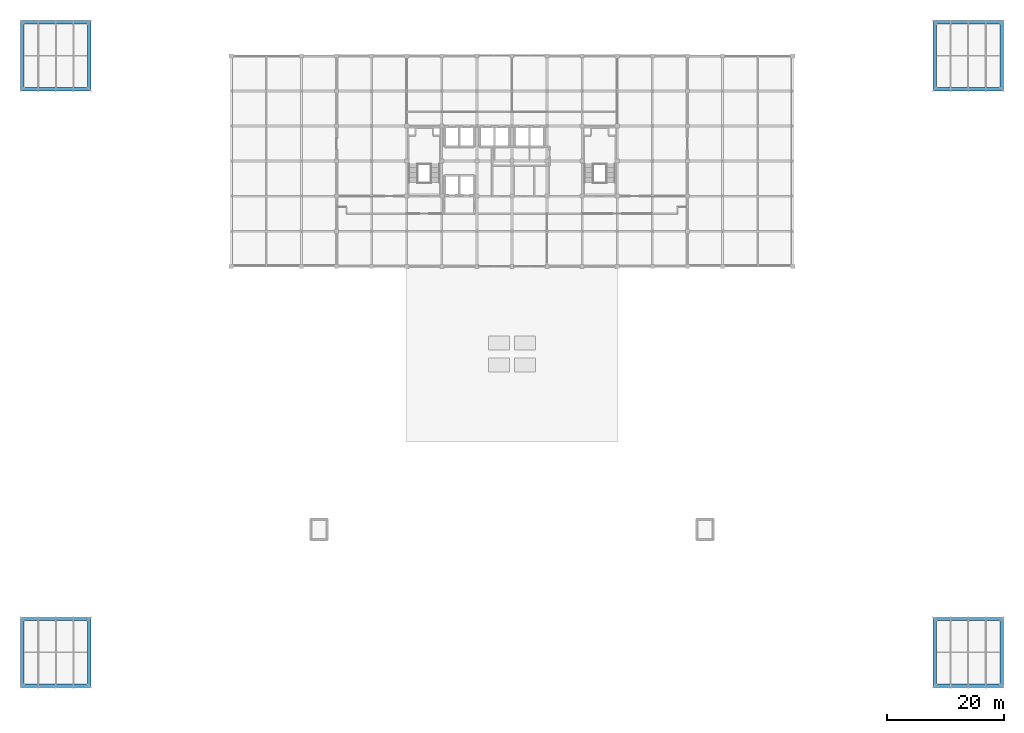
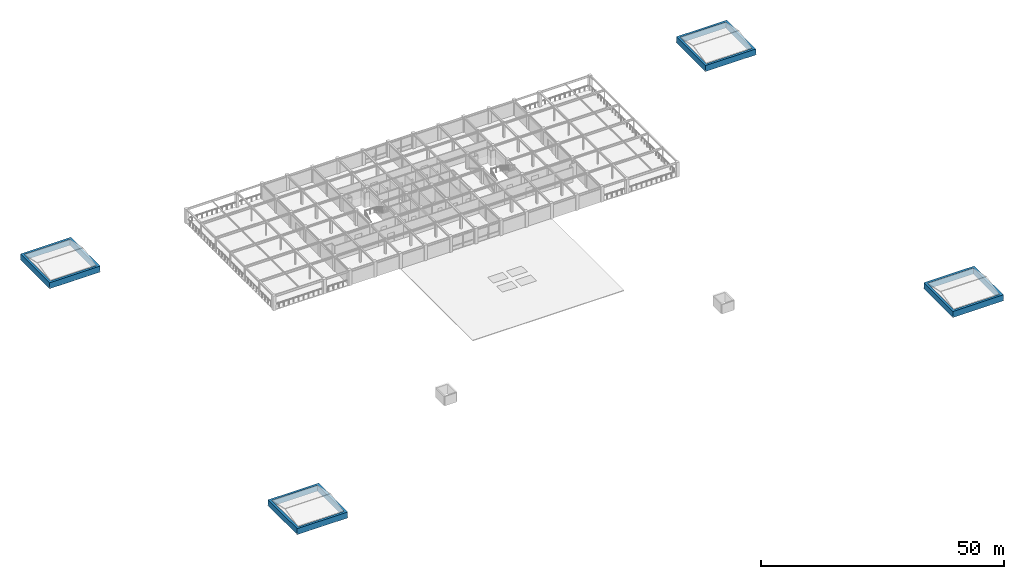
# One storey, part 23 of 25: 4 roofs.
"""IFC4 building model written with IfcOpenShell, lengths in metres."""

import ifcopenshell
import ifcopenshell.guid

model = None  # the IFC model being written
_history = None  # IfcOwnerHistory: only IFC2X3 demands one
_inside = {}  # id of a spatial element -> (the spatial element, [elements in it])
_under = {}  # id of a project, library or spatial element -> (it, [spatial elements below it])
_declared = {}  # id of a project -> (the project, [libraries it declares])
_typed = {}  # id of a type object -> (the type object, [elements of that type])
_made_of = {}  # id of a material, layer set ... -> (it, [elements and type objects made of it])


def new_model(schema):
    """Start an empty IFC model of exactly this schema.

    Asked for "IFC4X3", IfcOpenShell would pick the latest addendum, in which some entities
    have other attributes; the version numbers below select the first issue.
    IFC2X3 requires an IfcOwnerHistory on every rooted entity: one is made here for all.
    """
    global model, _history
    if schema == "IFC4X3":
        model = ifcopenshell.file(schema_version=(4, 3, 0, 0))
    else:
        model = ifcopenshell.file(schema=schema)
    _inside.clear()
    _under.clear()
    _declared.clear()
    _typed.clear()
    _made_of.clear()
    _history = None
    if model.schema == "IFC2X3":
        org = make("IfcOrganization", Name="unknown")
        user = make(
            "IfcPersonAndOrganization",
            ThePerson=make("IfcPerson", FamilyName="unknown"),
            TheOrganization=org,
        )
        app = make(
            "IfcApplication",
            ApplicationDeveloper=org,
            Version="unknown",
            ApplicationFullName="unknown",
            ApplicationIdentifier="unknown",
        )
        _history = make(
            "IfcOwnerHistory",
            OwningUser=user,
            OwningApplication=app,
            ChangeAction="ADDED",
            CreationDate=0,
        )
    return model


def make(cls, **values):
    """One entity of the class cls with the attributes given. An attribute that is None is left unset."""
    return model.create_entity(
        cls, **{name: value for name, value in values.items() if value is not None}
    )


def rooted(cls, **values):
    """An entity with a GlobalId (a new one), such as an element, a storey or a relation."""
    return make(cls, GlobalId=ifcopenshell.guid.new(), OwnerHistory=_history, **values)


def si_unit(unit_type, name, prefix=None):
    """IfcSIUnit, for example si_unit("LENGTHUNIT", "METRE", prefix="MILLI")."""
    return make("IfcSIUnit", UnitType=unit_type, Prefix=prefix, Name=name)


def assignment(units):
    """IfcUnitAssignment: the units of a project."""
    return None if units is None else make("IfcUnitAssignment", Units=units)


def point(xyz):
    """IfcCartesianPoint."""
    return None if xyz is None else make("IfcCartesianPoint", Coordinates=xyz)


def direction(xyz):
    """IfcDirection."""
    return None if xyz is None else make("IfcDirection", DirectionRatios=xyz)


def frame(location, z_axis=None, x_axis=None):
    """IfcAxis2Placement3D, a coordinate frame: its origin and axes. An axis left out is left unset."""
    return make(
        "IfcAxis2Placement3D",
        Location=point(location),
        Axis=direction(z_axis),
        RefDirection=direction(x_axis),
    )


def origin():
    """The frame at (0, 0, 0) with its axes left unset."""
    return frame((0.0, 0.0, 0.0))


def place(relative_to, where):
    """IfcLocalPlacement: puts the frame where relative to a parent placement (None: the world)."""
    return make(
        "IfcLocalPlacement", PlacementRelTo=relative_to, RelativePlacement=where
    )


def context(
    kind, dimensions, precision=None, world=None, true_north=None, identifier=None
):
    """IfcGeometricRepresentationContext, for example the 3D "Model" context."""
    return make(
        "IfcGeometricRepresentationContext",
        ContextIdentifier=identifier,
        ContextType=kind,
        CoordinateSpaceDimension=dimensions,
        Precision=precision,
        WorldCoordinateSystem=world,
        TrueNorth=true_north,
    )


def subcontext(parent, identifier, kind, view, scale=None):
    """IfcGeometricRepresentationSubContext, for example "Body" below "Model"."""
    return make(
        "IfcGeometricRepresentationSubContext",
        ContextIdentifier=identifier,
        ContextType=kind,
        ParentContext=parent,
        TargetScale=scale,
        TargetView=view,
    )


def project(units=None, contexts=None):
    """IfcProject with its units and contexts."""
    return rooted(
        "IfcProject",
        Name="project",
        RepresentationContexts=contexts,
        UnitsInContext=assignment(units),
    )


def spatial(cls, under=None, at=None, **own):
    """A site, building, storey or space (cls), placed at a placement, below another one or the project."""
    s = rooted(cls, ObjectPlacement=at, **own)
    if under is not None:
        _under.setdefault(under.id(), (under, []))[1].append(s)
    return s


def polyline(points):
    """IfcPolyline through the points."""
    return make("IfcPolyline", Points=[point(p) for p in points])


def outline(outer, holes=None, kind="AREA"):
    """IfcArbitraryClosedProfileDef: a profile drawn as a closed curve; with holes, ...WithVoids."""
    if holes is None:
        return make("IfcArbitraryClosedProfileDef", ProfileType=kind, OuterCurve=outer)
    return make(
        "IfcArbitraryProfileDefWithVoids",
        ProfileType=kind,
        OuterCurve=outer,
        InnerCurves=holes,
    )


def extrude(swept, where, along, depth):
    """IfcExtrudedAreaSolid: the profile swept, set in the frame where, extruded along a direction by depth."""
    return make(
        "IfcExtrudedAreaSolid",
        SweptArea=swept,
        Position=where,
        ExtrudedDirection=direction(along),
        Depth=depth,
    )


def shape(context_of_items, identifier, shape_type, items):
    """IfcShapeRepresentation: the items that make up one representation, for example the "Body"."""
    return make(
        "IfcShapeRepresentation",
        ContextOfItems=context_of_items,
        RepresentationIdentifier=identifier,
        RepresentationType=shape_type,
        Items=items,
    )


def material(Name=None, Category=None):
    """IfcMaterial."""
    return make("IfcMaterial", Name=Name, Category=Category)


def layer(
    of_material, thickness, ventilated=None, Name=None, Category=None, Priority=None
):
    """IfcMaterialLayer: one layer of a wall or slab, of a material (None: an air gap)."""
    return make(
        "IfcMaterialLayer",
        Material=of_material,
        LayerThickness=thickness,
        IsVentilated=ventilated,
        Name=Name,
        Category=Category,
        Priority=Priority,
    )


def layer_set(layers, Name=None):
    """IfcMaterialLayerSet."""
    return make("IfcMaterialLayerSet", MaterialLayers=layers, LayerSetName=Name)


def made_of(thing, what):
    """Note that an element or type object is made of a material, layer set ...; save() writes the relation."""
    if what is not None:
        _made_of.setdefault(what.id(), (what, []))[1].append(thing)
    return thing


def type_object(cls, material=None, **own):
    """A type object (cls), such as IfcWallType, which elements share."""
    return made_of(rooted(cls, **own), material)


def element(
    cls,
    number,
    at=None,
    inside=None,
    cuts=None,
    type_object=None,
    material=None,
    context=None,
    identifier="Body",
    shape_type=None,
    held_by="IfcProductDefinitionShape",
    body=None,
    shapes=None,
    **own,
):
    """One element of the class cls, such as IfcWall. Its Tag is "e" and its number.

    at: its placement. inside: the storey or other place that contains it. cuts: it is an
    opening in that element (IfcRelVoidsElement). A single representation is given by context,
    identifier, shape_type and body (its items); several are given by shapes. held_by: the class
    of the entity that holds the representations. save() writes the other relations.
    """
    e = rooted(cls, Tag="e%d" % number, ObjectPlacement=at, **own)
    if body is not None:
        shapes = [shape(context, identifier, shape_type, body)]
    if shapes is not None:
        e.Representation = make(held_by, Representations=shapes)
    if inside is not None:
        _inside.setdefault(inside.id(), (inside, []))[1].append(e)
    if cuts is not None:
        rooted(
            "IfcRelVoidsElement", RelatingBuildingElement=cuts, RelatedOpeningElement=e
        )
    if type_object is not None:
        _typed.setdefault(type_object.id(), (type_object, []))[1].append(e)
    return made_of(e, material)


def aggregate(whole, parts):
    """IfcRelAggregates: a whole, such as a stair, and the parts it consists of."""
    return rooted("IfcRelAggregates", RelatingObject=whole, RelatedObjects=parts)


def save(model, path):
    """Write the relations noted so far, then the file.

    IfcRelAggregates (storeys below a building ...), IfcRelContainedInSpatialStructure (elements
    in a storey), IfcRelDefinesByType, IfcRelAssociatesMaterial and IfcRelDeclares: one each for
    every whole, place, type object, material and project.
    """
    for whole, parts in _under.values():
        aggregate(whole, parts)
    for where, things in _inside.values():
        rooted(
            "IfcRelContainedInSpatialStructure",
            RelatedElements=things,
            RelatingStructure=where,
        )
    for kind, things in _typed.values():
        rooted("IfcRelDefinesByType", RelatedObjects=things, RelatingType=kind)
    for what, things in _made_of.values():
        rooted("IfcRelAssociatesMaterial", RelatedObjects=things, RelatingMaterial=what)
    for by, libraries in _declared.values():
        rooted("IfcRelDeclares", RelatingContext=by, RelatedDefinitions=libraries)
    model.write(path)


model = new_model("IFC4")

# Units and contexts
model_context = context("Model", 3, precision=1e-05, world=origin(), true_north=direction((0.0, 1.0)))
body_context = subcontext(model_context, "Body", "Model", "MODEL_VIEW")
ifc_project = project(units=[si_unit("LENGTHUNIT", "METRE"), si_unit("AREAUNIT", "SQUARE_METRE"), si_unit("VOLUMEUNIT", "CUBIC_METRE"), si_unit("PLANEANGLEUNIT", "RADIAN"), si_unit("MASSUNIT", "GRAM", prefix="KILO")], contexts=[model_context])

# Site, building, storey
site_placement = place(None, origin())
site = spatial("IfcSite", under=ifc_project, at=site_placement, CompositionType="ELEMENT")
building_placement = place(site_placement, origin())
building = spatial("IfcBuilding", under=site, at=building_placement, Name="Zlatovratsky Civic Hall", CompositionType="ELEMENT")
storey_placement = place(building_placement, frame((0.0, 0.0, 21.0)))
storey = spatial("IfcBuildingStorey", under=building, at=storey_placement, Name="L05", CompositionType="ELEMENT", Elevation=21.0)

# Roofs
ifc_material = material(Name="Standing-seam patinated copper roofing")
ifc_layer = layer(ifc_material, 0.080078125)
ifc_layer_set = layer_set([ifc_layer], Name="Standing-seam patinated copper roofing")
roof_type = type_object("IfcRoofType", Name="Roof_MansardBrisisShell", PredefinedType="MANSARD_ROOF", material=ifc_layer_set)
roof_1_placement = place(storey_placement, frame((0.0, 0.0, -0.300048828125)))
element("IfcRoof", 1, at=roof_1_placement, inside=storey, type_object=roof_type, Name="MRF-0-0", PredefinedType="MANSARD_ROOF", context=body_context, shape_type="SweptSolid", body=[
    extrude(outline(polyline([(0.0, 0.0), (12.0, 0.0), (12.0, 12.0), (0.0, 12.0), (0.0, 0.0)]), holes=[polyline([(0.550048828125, 0.550048828125), (11.449951171875, 0.550048828125), (11.449951171875, 11.449951171875), (0.550048828125, 11.449951171875), (0.550048828125, 0.550048828125)])]), origin(), (0.0, 0.0, 1.0), 1.5),
])
roof_2_placement = place(storey_placement, frame((0.0, 0.0, -0.300048828125)))
element("IfcRoof", 2, at=roof_2_placement, inside=storey, type_object=roof_type, Name="MRF-156-0", PredefinedType="MANSARD_ROOF", context=body_context, shape_type="SweptSolid", body=[
    extrude(outline(polyline([(156.0, 0.0), (168.0, 0.0), (168.0, 12.0), (156.0, 12.0), (156.0, 0.0)]), holes=[polyline([(156.550048828125, 0.550048828125), (167.449951171875, 0.550048828125), (167.449951171875, 11.449951171875), (156.550048828125, 11.449951171875), (156.550048828125, 0.550048828125)])]), origin(), (0.0, 0.0, 1.0), 1.5),
])
roof_3_placement = place(storey_placement, frame((0.0, 0.0, -0.300048828125)))
element("IfcRoof", 3, at=roof_3_placement, inside=storey, type_object=roof_type, Name="MRF-0-102", PredefinedType="MANSARD_ROOF", context=body_context, shape_type="SweptSolid", body=[
    extrude(outline(polyline([(0.0, 102.0), (12.0, 102.0), (12.0, 114.0), (0.0, 114.0), (0.0, 102.0)]), holes=[polyline([(0.550048828125, 102.550048828125), (11.449951171875, 102.550048828125), (11.449951171875, 113.449951171875), (0.550048828125, 113.449951171875), (0.550048828125, 102.550048828125)])]), origin(), (0.0, 0.0, 1.0), 1.5),
])
roof_4_placement = place(storey_placement, frame((0.0, 0.0, -0.300048828125)))
element("IfcRoof", 4, at=roof_4_placement, inside=storey, type_object=roof_type, Name="MRF-156-102", PredefinedType="MANSARD_ROOF", context=body_context, shape_type="SweptSolid", body=[
    extrude(outline(polyline([(156.0, 102.0), (168.0, 102.0), (168.0, 114.0), (156.0, 114.0), (156.0, 102.0)]), holes=[polyline([(156.550048828125, 102.550048828125), (167.449951171875, 102.550048828125), (167.449951171875, 113.449951171875), (156.550048828125, 113.449951171875), (156.550048828125, 102.550048828125)])]), origin(), (0.0, 0.0, 1.0), 1.5),
])

save(model, "model.ifc")
